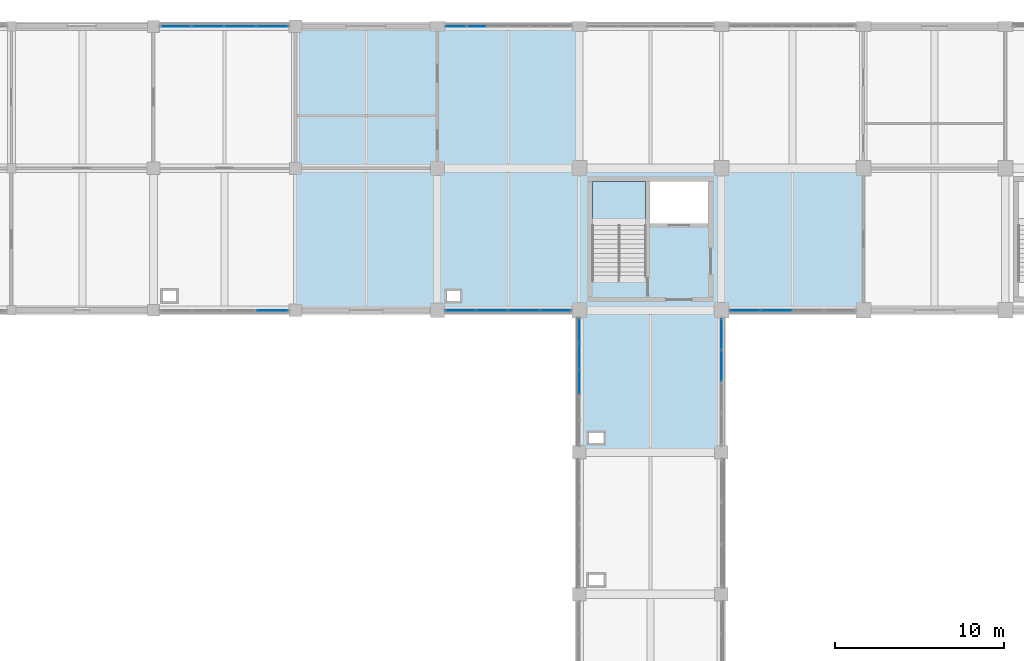
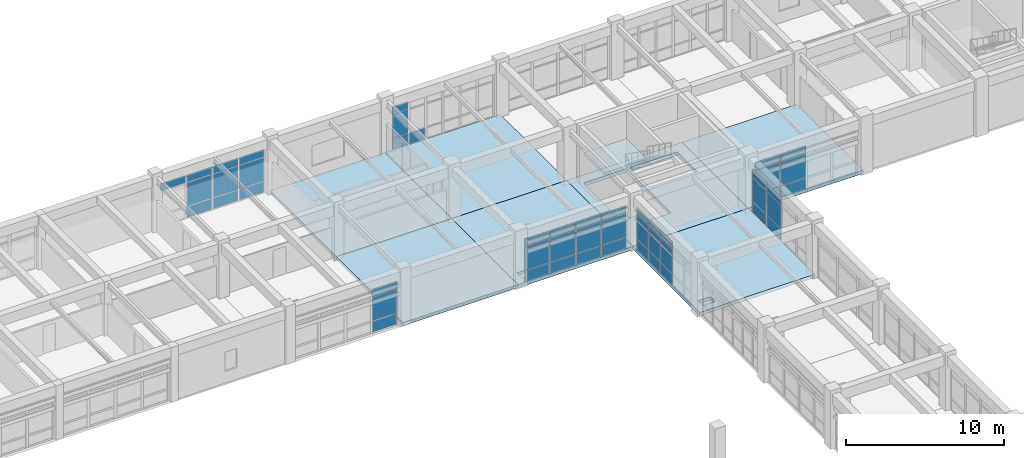
# One storey, part 67 of 99: 50 plates, 8 slabs, 8 elements without a shape of their own.
"""IFC4 building model written with IfcOpenShell, lengths in metres."""

from ifc_helpers import new_model, si_unit, direction, frame, origin, origin_2d, place, context, subcontext, project, spatial, polyline, rectangle, outline, extrude, material, layer, layer_set, type_object, element, aggregate, save


model = new_model("IFC4")

# Units and contexts
model_context = context("Model", 3, precision=1e-05, world=origin(), true_north=direction((0.0, 1.0)))
body_context = subcontext(model_context, "Body", "Model", "MODEL_VIEW")
ifc_project = project(units=[si_unit("LENGTHUNIT", "METRE"), si_unit("AREAUNIT", "SQUARE_METRE"), si_unit("VOLUMEUNIT", "CUBIC_METRE"), si_unit("PLANEANGLEUNIT", "RADIAN"), si_unit("MASSUNIT", "GRAM", prefix="KILO")], contexts=[model_context])

# Site, building, storey
site_placement = place(None, origin())
site = spatial("IfcSite", under=ifc_project, at=site_placement, CompositionType="ELEMENT")
building_placement = place(site_placement, origin())
building = spatial("IfcBuilding", under=site, at=building_placement, Name="Porcellanite Civic Hall", CompositionType="ELEMENT")
storey_placement = place(building_placement, frame((0.0, 0.0, 5.760009765625)))
storey = spatial("IfcBuildingStorey", under=building, at=storey_placement, Name="L01", CompositionType="ELEMENT", Elevation=5.760009765625)

# Curtain wall, plates
ifc_material_1 = material(Name="Anodised aluminium and solar laminated glass", Category="aluminium")
ifc_layer_1 = layer(ifc_material_1, 0.179931640625)
ifc_layer_set_1 = layer_set([ifc_layer_1], Name="Anodised aluminium and solar laminated glass")
curtain_wall_type_1 = type_object("IfcCurtainWallType", Name="CW-SYS05", PredefinedType="NOTDEFINED", material=ifc_layer_set_1)
curtain_wall_1_placement = place(storey_placement, origin())
curtain_wall_1 = element("IfcCurtainWall", 1, at=curtain_wall_1_placement, inside=storey, type_object=curtain_wall_type_1, Name="Curtain wall CW-072", PredefinedType="NOTDEFINED")
ifc_material_2 = material(Name="Cyclone laminated solar-control low-E glass", Category="glass")
ifc_layer_2 = layer(ifc_material_2, 0.028076171875)
ifc_layer_set_2 = layer_set([ifc_layer_2], Name="Cyclone laminated solar-control low-E glass")
plate_type_1 = type_object("IfcPlateType", Name="CWP-03", PredefinedType="CURTAIN_PANEL", material=ifc_layer_set_2)
plate_1_placement = place(storey_placement, frame((32.247314453125, 100.800048828125, 0.06005859375), z_axis=(0.0, 0.0, 1.0), x_axis=(-1.0, 0.0, 0.0)))
plate_1 = element("IfcPlate", 2, at=plate_1_placement, type_object=plate_type_1, Name="CW-072 panel 1.1", PredefinedType="CURTAIN_PANEL", context=body_context, shape_type="SweptSolid", body=[
    extrude(rectangle(XDim=1.813232421875, YDim=0.028076171875, at=origin_2d()), origin(), (0.0, 0.0, 1.0), 0.81005859375),
])
plate_2_placement = place(storey_placement, frame((32.247314453125, 100.800048828125, 0.929931640625), z_axis=(0.0, 0.0, 1.0), x_axis=(-1.0, 0.0, 0.0)))
plate_2 = element("IfcPlate", 3, at=plate_2_placement, type_object=plate_type_1, Name="CW-072 panel 1.2", PredefinedType="CURTAIN_PANEL", context=body_context, shape_type="SweptSolid", body=[
    extrude(rectangle(XDim=1.813232421875, YDim=0.028076171875, at=origin_2d()), origin(), (0.0, 0.0, 1.0), 1.7900390625),
])
plate_3_placement = place(storey_placement, frame((32.247314453125, 100.800048828125, 2.780029296875), z_axis=(0.0, 0.0, 1.0), x_axis=(-1.0, 0.0, 0.0)))
plate_3 = element("IfcPlate", 4, at=plate_3_placement, type_object=plate_type_1, Name="CW-072 panel 1.3", PredefinedType="CURTAIN_PANEL", context=body_context, shape_type="SweptSolid", body=[
    extrude(rectangle(XDim=1.813232421875, YDim=0.028076171875, at=origin_2d()), origin(), (0.0, 0.0, 1.0), 0.56005859375),
])
aggregate(curtain_wall_1, [plate_1, plate_2, plate_3])

curtain_wall_2_placement = place(storey_placement, origin())
curtain_wall_2 = element("IfcCurtainWall", 5, at=curtain_wall_2_placement, inside=storey, type_object=curtain_wall_type_1, Name="Curtain wall CW-073", PredefinedType="NOTDEFINED")
plate_4_placement = place(storey_placement, frame((26.527587890625, 117.60009765625, 2.780029296875), z_axis=(0.0, 0.0, 1.0), x_axis=(1.0, 0.0, 0.0)))
plate_4 = element("IfcPlate", 6, at=plate_4_placement, type_object=plate_type_1, Name="CW-073 panel 1.3", PredefinedType="CURTAIN_PANEL", context=body_context, shape_type="SweptSolid", body=[
    extrude(rectangle(XDim=1.813232421875, YDim=0.028076171875, at=origin_2d()), origin(), (0.0, 0.0, 1.0), 0.56005859375),
])
plate_5_placement = place(storey_placement, frame((28.428466796875, 117.60009765625, 0.06005859375), z_axis=(0.0, 0.0, 1.0), x_axis=(1.0, 0.0, 0.0)))
plate_5 = element("IfcPlate", 7, at=plate_5_placement, type_object=plate_type_1, Name="CW-073 panel 2.1", PredefinedType="CURTAIN_PANEL", context=body_context, shape_type="SweptSolid", body=[
    extrude(rectangle(XDim=1.84814453125, YDim=0.028076171875, at=origin_2d()), origin(), (0.0, 0.0, 1.0), 0.81005859375),
])
plate_6_placement = place(storey_placement, frame((28.428466796875, 117.60009765625, 0.929931640625), z_axis=(0.0, 0.0, 1.0), x_axis=(1.0, 0.0, 0.0)))
plate_6 = element("IfcPlate", 8, at=plate_6_placement, type_object=plate_type_1, Name="CW-073 panel 2.2", PredefinedType="CURTAIN_PANEL", context=body_context, shape_type="SweptSolid", body=[
    extrude(rectangle(XDim=1.84814453125, YDim=0.028076171875, at=origin_2d()), origin(), (0.0, 0.0, 1.0), 1.7900390625),
])
plate_7_placement = place(storey_placement, frame((28.428466796875, 117.60009765625, 2.780029296875), z_axis=(0.0, 0.0, 1.0), x_axis=(1.0, 0.0, 0.0)))
plate_7 = element("IfcPlate", 9, at=plate_7_placement, type_object=plate_type_1, Name="CW-073 panel 2.3", PredefinedType="CURTAIN_PANEL", context=body_context, shape_type="SweptSolid", body=[
    extrude(rectangle(XDim=1.84814453125, YDim=0.028076171875, at=origin_2d()), origin(), (0.0, 0.0, 1.0), 0.56005859375),
])
plate_8_placement = place(storey_placement, frame((30.3466796875, 117.60009765625, 0.06005859375), z_axis=(0.0, 0.0, 1.0), x_axis=(1.0, 0.0, 0.0)))
plate_8 = element("IfcPlate", 10, at=plate_8_placement, type_object=plate_type_1, Name="CW-073 panel 3.1", PredefinedType="CURTAIN_PANEL", context=body_context, shape_type="SweptSolid", body=[
    extrude(rectangle(XDim=1.84814453125, YDim=0.028076171875, at=origin_2d()), origin(), (0.0, 0.0, 1.0), 0.81005859375),
])
plate_9_placement = place(storey_placement, frame((30.3466796875, 117.60009765625, 0.929931640625), z_axis=(0.0, 0.0, 1.0), x_axis=(1.0, 0.0, 0.0)))
plate_9 = element("IfcPlate", 11, at=plate_9_placement, type_object=plate_type_1, Name="CW-073 panel 3.2", PredefinedType="CURTAIN_PANEL", context=body_context, shape_type="SweptSolid", body=[
    extrude(rectangle(XDim=1.84814453125, YDim=0.028076171875, at=origin_2d()), origin(), (0.0, 0.0, 1.0), 1.7900390625),
])
plate_10_placement = place(storey_placement, frame((30.3466796875, 117.60009765625, 2.780029296875), z_axis=(0.0, 0.0, 1.0), x_axis=(1.0, 0.0, 0.0)))
plate_10 = element("IfcPlate", 12, at=plate_10_placement, type_object=plate_type_1, Name="CW-073 panel 3.3", PredefinedType="CURTAIN_PANEL", context=body_context, shape_type="SweptSolid", body=[
    extrude(rectangle(XDim=1.84814453125, YDim=0.028076171875, at=origin_2d()), origin(), (0.0, 0.0, 1.0), 0.56005859375),
])
plate_11_placement = place(storey_placement, frame((32.247314453125, 117.60009765625, 0.06005859375), z_axis=(0.0, 0.0, 1.0), x_axis=(1.0, 0.0, 0.0)))
plate_11 = element("IfcPlate", 13, at=plate_11_placement, type_object=plate_type_1, Name="CW-073 panel 4.1", PredefinedType="CURTAIN_PANEL", context=body_context, shape_type="SweptSolid", body=[
    extrude(rectangle(XDim=1.813232421875, YDim=0.028076171875, at=origin_2d()), origin(), (0.0, 0.0, 1.0), 0.81005859375),
])
plate_12_placement = place(storey_placement, frame((32.247314453125, 117.60009765625, 0.929931640625), z_axis=(0.0, 0.0, 1.0), x_axis=(1.0, 0.0, 0.0)))
plate_12 = element("IfcPlate", 14, at=plate_12_placement, type_object=plate_type_1, Name="CW-073 panel 4.2", PredefinedType="CURTAIN_PANEL", context=body_context, shape_type="SweptSolid", body=[
    extrude(rectangle(XDim=1.813232421875, YDim=0.028076171875, at=origin_2d()), origin(), (0.0, 0.0, 1.0), 1.7900390625),
])
plate_13_placement = place(storey_placement, frame((32.247314453125, 117.60009765625, 2.780029296875), z_axis=(0.0, 0.0, 1.0), x_axis=(1.0, 0.0, 0.0)))
plate_13 = element("IfcPlate", 15, at=plate_13_placement, type_object=plate_type_1, Name="CW-073 panel 4.3", PredefinedType="CURTAIN_PANEL", context=body_context, shape_type="SweptSolid", body=[
    extrude(rectangle(XDim=1.813232421875, YDim=0.028076171875, at=origin_2d()), origin(), (0.0, 0.0, 1.0), 0.56005859375),
])
aggregate(curtain_wall_2, [plate_4, plate_5, plate_6, plate_7, plate_8, plate_9, plate_10, plate_11, plate_12, plate_13])

ifc_material_3 = material(Name="Anodised aluminium and solar laminated glass", Category="aluminium")
ifc_layer_3 = layer(ifc_material_3, 0.179931640625)
ifc_layer_set_3 = layer_set([ifc_layer_3], Name="Anodised aluminium and solar laminated glass")
curtain_wall_type_2 = type_object("IfcCurtainWallType", Name="CW-SYS01", PredefinedType="NOTDEFINED", material=ifc_layer_set_3)
curtain_wall_3_placement = place(storey_placement, origin())
curtain_wall_3 = element("IfcCurtainWall", 16, at=curtain_wall_3_placement, inside=storey, type_object=curtain_wall_type_2, Name="Curtain wall CW-083", PredefinedType="NOTDEFINED")
ifc_material_4 = material(Name="Cyclone laminated solar-control low-E glass", Category="glass")
ifc_layer_4 = layer(ifc_material_4, 0.030029296875)
ifc_layer_set_4 = layer_set([ifc_layer_4], Name="Cyclone laminated solar-control low-E glass")
plate_type_2 = type_object("IfcPlateType", Name="CWP-04", PredefinedType="CURTAIN_PANEL", material=ifc_layer_set_4)
plate_14_placement = place(storey_placement, frame((50.39990234375, 96.574951171875, 0.06005859375), z_axis=(0.0, 0.0, 1.0), x_axis=(0.0, 1.0, 0.0)))
plate_14 = element("IfcPlate", 17, at=plate_14_placement, type_object=plate_type_2, Name="CW-083 panel 3.1", PredefinedType="CURTAIN_PANEL", context=body_context, shape_type="SweptSolid", body=[
    extrude(rectangle(XDim=1.439697265625, YDim=0.030029296875, at=origin_2d()), origin(), (0.0, 0.0, 1.0), 0.81005859375),
])
plate_15_placement = place(storey_placement, frame((50.39990234375, 96.574951171875, 0.929931640625), z_axis=(0.0, 0.0, 1.0), x_axis=(0.0, 1.0, 0.0)))
plate_15 = element("IfcPlate", 18, at=plate_15_placement, type_object=plate_type_2, Name="CW-083 panel 3.2", PredefinedType="CURTAIN_PANEL", context=body_context, shape_type="SweptSolid", body=[
    extrude(rectangle(XDim=1.439697265625, YDim=0.030029296875, at=origin_2d()), origin(), (0.0, 0.0, 1.0), 1.7900390625),
])
plate_16_placement = place(storey_placement, frame((50.39990234375, 96.574951171875, 2.780029296875), z_axis=(0.0, 0.0, 1.0), x_axis=(0.0, 1.0, 0.0)))
plate_16 = element("IfcPlate", 19, at=plate_16_placement, type_object=plate_type_2, Name="CW-083 panel 3.3", PredefinedType="CURTAIN_PANEL", context=body_context, shape_type="SweptSolid", body=[
    extrude(rectangle(XDim=1.439697265625, YDim=0.030029296875, at=origin_2d()), origin(), (0.0, 0.0, 1.0), 0.56005859375),
])
plate_17_placement = place(storey_placement, frame((50.39990234375, 98.084716796875, 0.06005859375), z_axis=(0.0, 0.0, 1.0), x_axis=(0.0, 1.0, 0.0)))
plate_17 = element("IfcPlate", 20, at=plate_17_placement, type_object=plate_type_2, Name="CW-083 panel 4.1", PredefinedType="CURTAIN_PANEL", context=body_context, shape_type="SweptSolid", body=[
    extrude(rectangle(XDim=1.439697265625, YDim=0.030029296875, at=origin_2d()), origin(), (0.0, 0.0, 1.0), 0.81005859375),
])
plate_18_placement = place(storey_placement, frame((50.39990234375, 98.084716796875, 0.929931640625), z_axis=(0.0, 0.0, 1.0), x_axis=(0.0, 1.0, 0.0)))
plate_18 = element("IfcPlate", 21, at=plate_18_placement, type_object=plate_type_2, Name="CW-083 panel 4.2", PredefinedType="CURTAIN_PANEL", context=body_context, shape_type="SweptSolid", body=[
    extrude(rectangle(XDim=1.439697265625, YDim=0.030029296875, at=origin_2d()), origin(), (0.0, 0.0, 1.0), 1.7900390625),
])
plate_19_placement = place(storey_placement, frame((50.39990234375, 98.084716796875, 2.780029296875), z_axis=(0.0, 0.0, 1.0), x_axis=(0.0, 1.0, 0.0)))
plate_19 = element("IfcPlate", 22, at=plate_19_placement, type_object=plate_type_2, Name="CW-083 panel 4.3", PredefinedType="CURTAIN_PANEL", context=body_context, shape_type="SweptSolid", body=[
    extrude(rectangle(XDim=1.439697265625, YDim=0.030029296875, at=origin_2d()), origin(), (0.0, 0.0, 1.0), 0.56005859375),
])
plate_20_placement = place(storey_placement, frame((50.39990234375, 99.57666015625, 0.06005859375), z_axis=(0.0, 0.0, 1.0), x_axis=(0.0, 1.0, 0.0)))
plate_20 = element("IfcPlate", 23, at=plate_20_placement, type_object=plate_type_2, Name="CW-083 panel 5.1", PredefinedType="CURTAIN_PANEL", context=body_context, shape_type="SweptSolid", body=[
    extrude(rectangle(XDim=1.404541015625, YDim=0.030029296875, at=origin_2d()), origin(), (0.0, 0.0, 1.0), 0.81005859375),
])
plate_21_placement = place(storey_placement, frame((50.39990234375, 99.57666015625, 0.929931640625), z_axis=(0.0, 0.0, 1.0), x_axis=(0.0, 1.0, 0.0)))
plate_21 = element("IfcPlate", 24, at=plate_21_placement, type_object=plate_type_2, Name="CW-083 panel 5.2", PredefinedType="CURTAIN_PANEL", context=body_context, shape_type="SweptSolid", body=[
    extrude(rectangle(XDim=1.404541015625, YDim=0.030029296875, at=origin_2d()), origin(), (0.0, 0.0, 1.0), 1.7900390625),
])
plate_22_placement = place(storey_placement, frame((50.39990234375, 99.57666015625, 2.780029296875), z_axis=(0.0, 0.0, 1.0), x_axis=(0.0, 1.0, 0.0)))
plate_22 = element("IfcPlate", 25, at=plate_22_placement, type_object=plate_type_2, Name="CW-083 panel 5.3", PredefinedType="CURTAIN_PANEL", context=body_context, shape_type="SweptSolid", body=[
    extrude(rectangle(XDim=1.404541015625, YDim=0.030029296875, at=origin_2d()), origin(), (0.0, 0.0, 1.0), 0.56005859375),
])
aggregate(curtain_wall_3, [plate_14, plate_15, plate_16, plate_17, plate_18, plate_19, plate_20, plate_21, plate_22])

ifc_material_5 = material(Name="Anodised aluminium and solar laminated glass", Category="aluminium")
ifc_layer_5 = layer(ifc_material_5, 0.179931640625)
ifc_layer_set_5 = layer_set([ifc_layer_5], Name="Anodised aluminium and solar laminated glass")
curtain_wall_type_3 = type_object("IfcCurtainWallType", Name="CW-SYS06", PredefinedType="NOTDEFINED", material=ifc_layer_set_5)
curtain_wall_4_placement = place(storey_placement, origin())
curtain_wall_4 = element("IfcCurtainWall", 26, at=curtain_wall_4_placement, inside=storey, type_object=curtain_wall_type_3, Name="Curtain wall CW-074", PredefinedType="NOTDEFINED")
ifc_material_6 = material(Name="Cyclone laminated solar-control low-E glass", Category="glass")
ifc_layer_6 = layer(ifc_material_6, 0.031982421875)
ifc_layer_set_6 = layer_set([ifc_layer_6], Name="Cyclone laminated solar-control low-E glass")
plate_type_3 = type_object("IfcPlateType", Name="CWP-05", PredefinedType="CURTAIN_PANEL", material=ifc_layer_set_6)
plate_23_placement = place(storey_placement, frame((48.992431640625, 100.800048828125, 0.0498046875), z_axis=(0.0, 0.0, 1.0), x_axis=(-1.0, 0.0, 0.0)))
plate_23 = element("IfcPlate", 27, at=plate_23_placement, type_object=plate_type_3, Name="CW-074 panel 1.1", PredefinedType="CURTAIN_PANEL", context=body_context, shape_type="SweptSolid", body=[
    extrude(rectangle(XDim=1.783203125, YDim=0.031982421875, at=origin_2d()), origin(), (0.0, 0.0, 1.0), 0.824951171875),
])
plate_24_placement = place(storey_placement, frame((48.992431640625, 100.800048828125, 0.9248046875), z_axis=(0.0, 0.0, 1.0), x_axis=(-1.0, 0.0, 0.0)))
plate_24 = element("IfcPlate", 28, at=plate_24_placement, type_object=plate_type_3, Name="CW-074 panel 1.2", PredefinedType="CURTAIN_PANEL", context=body_context, shape_type="SweptSolid", body=[
    extrude(rectangle(XDim=1.783203125, YDim=0.031982421875, at=origin_2d()), origin(), (0.0, 0.0, 1.0), 1.800048828125),
])
plate_25_placement = place(storey_placement, frame((48.992431640625, 100.800048828125, 2.77490234375), z_axis=(0.0, 0.0, 1.0), x_axis=(-1.0, 0.0, 0.0)))
plate_25 = element("IfcPlate", 29, at=plate_25_placement, type_object=plate_type_3, Name="CW-074 panel 1.3", PredefinedType="CURTAIN_PANEL", context=body_context, shape_type="SweptSolid", body=[
    extrude(rectangle(XDim=1.783203125, YDim=0.031982421875, at=origin_2d()), origin(), (0.0, 0.0, 1.0), 0.574951171875),
])
plate_26_placement = place(storey_placement, frame((47.1279296875, 100.800048828125, 0.0498046875), z_axis=(0.0, 0.0, 1.0), x_axis=(-1.0, 0.0, 0.0)))
plate_26 = element("IfcPlate", 30, at=plate_26_placement, type_object=plate_type_3, Name="CW-074 panel 2.1", PredefinedType="CURTAIN_PANEL", context=body_context, shape_type="SweptSolid", body=[
    extrude(rectangle(XDim=1.815673828125, YDim=0.031982421875, at=origin_2d()), origin(), (0.0, 0.0, 1.0), 0.824951171875),
])
plate_27_placement = place(storey_placement, frame((47.1279296875, 100.800048828125, 0.9248046875), z_axis=(0.0, 0.0, 1.0), x_axis=(-1.0, 0.0, 0.0)))
plate_27 = element("IfcPlate", 31, at=plate_27_placement, type_object=plate_type_3, Name="CW-074 panel 2.2", PredefinedType="CURTAIN_PANEL", context=body_context, shape_type="SweptSolid", body=[
    extrude(rectangle(XDim=1.815673828125, YDim=0.031982421875, at=origin_2d()), origin(), (0.0, 0.0, 1.0), 1.800048828125),
])
plate_28_placement = place(storey_placement, frame((47.1279296875, 100.800048828125, 2.77490234375), z_axis=(0.0, 0.0, 1.0), x_axis=(-1.0, 0.0, 0.0)))
plate_28 = element("IfcPlate", 32, at=plate_28_placement, type_object=plate_type_3, Name="CW-074 panel 2.3", PredefinedType="CURTAIN_PANEL", context=body_context, shape_type="SweptSolid", body=[
    extrude(rectangle(XDim=1.815673828125, YDim=0.031982421875, at=origin_2d()), origin(), (0.0, 0.0, 1.0), 0.574951171875),
])
plate_29_placement = place(storey_placement, frame((45.2470703125, 100.800048828125, 0.0498046875), z_axis=(0.0, 0.0, 1.0), x_axis=(-1.0, 0.0, 0.0)))
plate_29 = element("IfcPlate", 33, at=plate_29_placement, type_object=plate_type_3, Name="CW-074 panel 3.1", PredefinedType="CURTAIN_PANEL", context=body_context, shape_type="SweptSolid", body=[
    extrude(rectangle(XDim=1.815673828125, YDim=0.031982421875, at=origin_2d()), origin(), (0.0, 0.0, 1.0), 0.824951171875),
])
plate_30_placement = place(storey_placement, frame((45.2470703125, 100.800048828125, 0.9248046875), z_axis=(0.0, 0.0, 1.0), x_axis=(-1.0, 0.0, 0.0)))
plate_30 = element("IfcPlate", 34, at=plate_30_placement, type_object=plate_type_3, Name="CW-074 panel 3.2", PredefinedType="CURTAIN_PANEL", context=body_context, shape_type="SweptSolid", body=[
    extrude(rectangle(XDim=1.815673828125, YDim=0.031982421875, at=origin_2d()), origin(), (0.0, 0.0, 1.0), 1.800048828125),
])
plate_31_placement = place(storey_placement, frame((45.2470703125, 100.800048828125, 2.77490234375), z_axis=(0.0, 0.0, 1.0), x_axis=(-1.0, 0.0, 0.0)))
plate_31 = element("IfcPlate", 35, at=plate_31_placement, type_object=plate_type_3, Name="CW-074 panel 3.3", PredefinedType="CURTAIN_PANEL", context=body_context, shape_type="SweptSolid", body=[
    extrude(rectangle(XDim=1.815673828125, YDim=0.031982421875, at=origin_2d()), origin(), (0.0, 0.0, 1.0), 0.574951171875),
])
plate_32_placement = place(storey_placement, frame((43.382568359375, 100.800048828125, 0.0498046875), z_axis=(0.0, 0.0, 1.0), x_axis=(-1.0, 0.0, 0.0)))
plate_32 = element("IfcPlate", 36, at=plate_32_placement, type_object=plate_type_3, Name="CW-074 panel 4.1", PredefinedType="CURTAIN_PANEL", context=body_context, shape_type="SweptSolid", body=[
    extrude(rectangle(XDim=1.783203125, YDim=0.031982421875, at=origin_2d()), origin(), (0.0, 0.0, 1.0), 0.824951171875),
])
plate_33_placement = place(storey_placement, frame((43.382568359375, 100.800048828125, 0.9248046875), z_axis=(0.0, 0.0, 1.0), x_axis=(-1.0, 0.0, 0.0)))
plate_33 = element("IfcPlate", 37, at=plate_33_placement, type_object=plate_type_3, Name="CW-074 panel 4.2", PredefinedType="CURTAIN_PANEL", context=body_context, shape_type="SweptSolid", body=[
    extrude(rectangle(XDim=1.783203125, YDim=0.031982421875, at=origin_2d()), origin(), (0.0, 0.0, 1.0), 1.800048828125),
])
plate_34_placement = place(storey_placement, frame((43.382568359375, 100.800048828125, 2.77490234375), z_axis=(0.0, 0.0, 1.0), x_axis=(-1.0, 0.0, 0.0)))
plate_34 = element("IfcPlate", 38, at=plate_34_placement, type_object=plate_type_3, Name="CW-074 panel 4.3", PredefinedType="CURTAIN_PANEL", context=body_context, shape_type="SweptSolid", body=[
    extrude(rectangle(XDim=1.783203125, YDim=0.031982421875, at=origin_2d()), origin(), (0.0, 0.0, 1.0), 0.574951171875),
])
aggregate(curtain_wall_4, [plate_23, plate_24, plate_25, plate_26, plate_27, plate_28, plate_29, plate_30, plate_31, plate_32, plate_33, plate_34])

ifc_material_7 = material(Name="Anodised aluminium and solar laminated glass", Category="aluminium")
ifc_layer_7 = layer(ifc_material_7, 0.179931640625)
ifc_layer_set_7 = layer_set([ifc_layer_7], Name="Anodised aluminium and solar laminated glass")
curtain_wall_type_4 = type_object("IfcCurtainWallType", Name="CW-SYS03", PredefinedType="NOTDEFINED", material=ifc_layer_set_7)
curtain_wall_5_placement = place(storey_placement, origin())
curtain_wall_5 = element("IfcCurtainWall", 39, at=curtain_wall_5_placement, inside=storey, type_object=curtain_wall_type_4, Name="Curtain wall CW-084", PredefinedType="NOTDEFINED")
plate_35_placement = place(storey_placement, frame((58.800048828125, 99.385498046875, 0.054931640625), z_axis=(0.0, 0.0, 1.0), x_axis=(0.0, -1.0, 0.0)))
plate_35 = element("IfcPlate", 40, at=plate_35_placement, type_object=plate_type_3, Name="CW-084 panel 1.1", PredefinedType="CURTAIN_PANEL", context=body_context, shape_type="SweptSolid", body=[
    extrude(rectangle(XDim=1.76708984375, YDim=0.031982421875, at=origin_2d()), origin(), (0.0, 0.0, 1.0), 0.8173828125),
])
plate_36_placement = place(storey_placement, frame((58.800048828125, 99.385498046875, 0.927490234375), z_axis=(0.0, 0.0, 1.0), x_axis=(0.0, -1.0, 0.0)))
plate_36 = element("IfcPlate", 41, at=plate_36_placement, type_object=plate_type_3, Name="CW-084 panel 1.2", PredefinedType="CURTAIN_PANEL", context=body_context, shape_type="SweptSolid", body=[
    extrude(rectangle(XDim=1.76708984375, YDim=0.031982421875, at=origin_2d()), origin(), (0.0, 0.0, 1.0), 1.794921875),
])
plate_37_placement = place(storey_placement, frame((58.800048828125, 99.385498046875, 2.777587890625), z_axis=(0.0, 0.0, 1.0), x_axis=(0.0, -1.0, 0.0)))
plate_37 = element("IfcPlate", 42, at=plate_37_placement, type_object=plate_type_3, Name="CW-084 panel 1.3", PredefinedType="CURTAIN_PANEL", context=body_context, shape_type="SweptSolid", body=[
    extrude(rectangle(XDim=1.76708984375, YDim=0.031982421875, at=origin_2d()), origin(), (0.0, 0.0, 1.0), 0.5673828125),
])
plate_38_placement = place(storey_placement, frame((58.800048828125, 97.5185546875, 0.054931640625), z_axis=(0.0, 0.0, 1.0), x_axis=(0.0, -1.0, 0.0)))
plate_38 = element("IfcPlate", 43, at=plate_38_placement, type_object=plate_type_3, Name="CW-084 panel 2.1", PredefinedType="CURTAIN_PANEL", context=body_context, shape_type="SweptSolid", body=[
    extrude(rectangle(XDim=1.806884765625, YDim=0.031982421875, at=origin_2d()), origin(), (0.0, 0.0, 1.0), 0.8173828125),
])
plate_39_placement = place(storey_placement, frame((58.800048828125, 97.5185546875, 0.927490234375), z_axis=(0.0, 0.0, 1.0), x_axis=(0.0, -1.0, 0.0)))
plate_39 = element("IfcPlate", 44, at=plate_39_placement, type_object=plate_type_3, Name="CW-084 panel 2.2", PredefinedType="CURTAIN_PANEL", context=body_context, shape_type="SweptSolid", body=[
    extrude(rectangle(XDim=1.806884765625, YDim=0.031982421875, at=origin_2d()), origin(), (0.0, 0.0, 1.0), 1.794921875),
])
plate_40_placement = place(storey_placement, frame((58.800048828125, 97.5185546875, 2.777587890625), z_axis=(0.0, 0.0, 1.0), x_axis=(0.0, -1.0, 0.0)))
plate_40 = element("IfcPlate", 45, at=plate_40_placement, type_object=plate_type_3, Name="CW-084 panel 2.3", PredefinedType="CURTAIN_PANEL", context=body_context, shape_type="SweptSolid", body=[
    extrude(rectangle(XDim=1.806884765625, YDim=0.031982421875, at=origin_2d()), origin(), (0.0, 0.0, 1.0), 0.5673828125),
])
aggregate(curtain_wall_5, [plate_35, plate_36, plate_37, plate_38, plate_39, plate_40])

ifc_material_8 = material(Name="Anodised aluminium and solar laminated glass", Category="aluminium")
ifc_layer_8 = layer(ifc_material_8, 0.179931640625)
ifc_layer_set_8 = layer_set([ifc_layer_8], Name="Anodised aluminium and solar laminated glass")
curtain_wall_type_5 = type_object("IfcCurtainWallType", Name="CW-SYS07", PredefinedType="NOTDEFINED", material=ifc_layer_set_8)
curtain_wall_6_placement = place(storey_placement, origin())
curtain_wall_6 = element("IfcCurtainWall", 46, at=curtain_wall_6_placement, inside=storey, type_object=curtain_wall_type_5, Name="Curtain wall CW-075", PredefinedType="NOTDEFINED")
ifc_material_9 = material(Name="Cyclone laminated solar-control low-E glass", Category="glass")
ifc_layer_9 = layer(ifc_material_9, 0.033935546875)
ifc_layer_set_9 = layer_set([ifc_layer_9], Name="Cyclone laminated solar-control low-E glass")
plate_type_4 = type_object("IfcPlateType", Name="CWP-06", PredefinedType="CURTAIN_PANEL", material=ifc_layer_set_9)
plate_41_placement = place(storey_placement, frame((43.0908203125, 117.60009765625, 0.0498046875), z_axis=(0.0, 0.0, 1.0), x_axis=(1.0, 0.0, 0.0)))
plate_41 = element("IfcPlate", 47, at=plate_41_placement, type_object=plate_type_4, Name="CW-075 panel 1.1", PredefinedType="CURTAIN_PANEL", context=body_context, shape_type="SweptSolid", body=[
    extrude(rectangle(XDim=1.15966796875, YDim=0.033935546875, at=origin_2d()), origin(), (0.0, 0.0, 1.0), 0.824951171875),
])
plate_42_placement = place(storey_placement, frame((43.0908203125, 117.60009765625, 0.9248046875), z_axis=(0.0, 0.0, 1.0), x_axis=(1.0, 0.0, 0.0)))
plate_42 = element("IfcPlate", 48, at=plate_42_placement, type_object=plate_type_4, Name="CW-075 panel 1.2", PredefinedType="CURTAIN_PANEL", context=body_context, shape_type="SweptSolid", body=[
    extrude(rectangle(XDim=1.15966796875, YDim=0.033935546875, at=origin_2d()), origin(), (0.0, 0.0, 1.0), 1.800048828125),
])
plate_43_placement = place(storey_placement, frame((43.0908203125, 117.60009765625, 2.77490234375), z_axis=(0.0, 0.0, 1.0), x_axis=(1.0, 0.0, 0.0)))
plate_43 = element("IfcPlate", 49, at=plate_43_placement, type_object=plate_type_4, Name="CW-075 panel 1.3", PredefinedType="CURTAIN_PANEL", context=body_context, shape_type="SweptSolid", body=[
    extrude(rectangle(XDim=1.15966796875, YDim=0.033935546875, at=origin_2d()), origin(), (0.0, 0.0, 1.0), 0.574951171875),
])
plate_44_placement = place(storey_placement, frame((44.325439453125, 117.60009765625, 0.0498046875), z_axis=(0.0, 0.0, 1.0), x_axis=(1.0, 0.0, 0.0)))
plate_44 = element("IfcPlate", 50, at=plate_44_placement, type_object=plate_type_4, Name="CW-075 panel 2.1", PredefinedType="CURTAIN_PANEL", context=body_context, shape_type="SweptSolid", body=[
    extrude(rectangle(XDim=1.189697265625, YDim=0.033935546875, at=origin_2d()), origin(), (0.0, 0.0, 1.0), 0.824951171875),
])
aggregate(curtain_wall_6, [plate_41, plate_42, plate_43, plate_44])

curtain_wall_7_placement = place(storey_placement, origin())
curtain_wall_7 = element("IfcCurtainWall", 51, at=curtain_wall_7_placement, inside=storey, type_object=curtain_wall_type_3, Name="Curtain wall CW-086", PredefinedType="NOTDEFINED")
ifc_material_10 = material(Name="Cyclone laminated solar-control low-E glass", Category="glass")
ifc_layer_10 = layer(ifc_material_10, 0.035888671875)
ifc_layer_set_10 = layer_set([ifc_layer_10], Name="Cyclone laminated solar-control low-E glass")
plate_type_5 = type_object("IfcPlateType", Name="CWP-07", PredefinedType="CURTAIN_PANEL", material=ifc_layer_set_10)
plate_45_placement = place(storey_placement, frame((62.062744140625, 100.800048828125, 0.0498046875), z_axis=(0.0, 0.0, 1.0), x_axis=(-1.0, 0.0, 0.0)))
plate_45 = element("IfcPlate", 52, at=plate_45_placement, type_object=plate_type_5, Name="CW-086 panel 3.1", PredefinedType="CURTAIN_PANEL", context=body_context, shape_type="SweptSolid", body=[
    extrude(rectangle(XDim=1.8095703125, YDim=0.035888671875, at=origin_2d()), origin(), (0.0, 0.0, 1.0), 0.824951171875),
])
plate_46_placement = place(storey_placement, frame((62.062744140625, 100.800048828125, 0.9248046875), z_axis=(0.0, 0.0, 1.0), x_axis=(-1.0, 0.0, 0.0)))
plate_46 = element("IfcPlate", 53, at=plate_46_placement, type_object=plate_type_5, Name="CW-086 panel 3.2", PredefinedType="CURTAIN_PANEL", context=body_context, shape_type="SweptSolid", body=[
    extrude(rectangle(XDim=1.8095703125, YDim=0.035888671875, at=origin_2d()), origin(), (0.0, 0.0, 1.0), 1.800048828125),
])
plate_47_placement = place(storey_placement, frame((62.062744140625, 100.800048828125, 2.77490234375), z_axis=(0.0, 0.0, 1.0), x_axis=(-1.0, 0.0, 0.0)))
plate_47 = element("IfcPlate", 54, at=plate_47_placement, type_object=plate_type_5, Name="CW-086 panel 3.3", PredefinedType="CURTAIN_PANEL", context=body_context, shape_type="SweptSolid", body=[
    extrude(rectangle(XDim=1.8095703125, YDim=0.035888671875, at=origin_2d()), origin(), (0.0, 0.0, 1.0), 0.574951171875),
])
plate_48_placement = place(storey_placement, frame((60.20458984375, 100.800048828125, 0.0498046875), z_axis=(0.0, 0.0, 1.0), x_axis=(-1.0, 0.0, 0.0)))
plate_48 = element("IfcPlate", 55, at=plate_48_placement, type_object=plate_type_5, Name="CW-086 panel 4.1", PredefinedType="CURTAIN_PANEL", context=body_context, shape_type="SweptSolid", body=[
    extrude(rectangle(XDim=1.777099609375, YDim=0.035888671875, at=origin_2d()), origin(), (0.0, 0.0, 1.0), 0.824951171875),
])
plate_49_placement = place(storey_placement, frame((60.20458984375, 100.800048828125, 0.9248046875), z_axis=(0.0, 0.0, 1.0), x_axis=(-1.0, 0.0, 0.0)))
plate_49 = element("IfcPlate", 56, at=plate_49_placement, type_object=plate_type_5, Name="CW-086 panel 4.2", PredefinedType="CURTAIN_PANEL", context=body_context, shape_type="SweptSolid", body=[
    extrude(rectangle(XDim=1.777099609375, YDim=0.035888671875, at=origin_2d()), origin(), (0.0, 0.0, 1.0), 1.800048828125),
])
plate_50_placement = place(storey_placement, frame((60.20458984375, 100.800048828125, 2.77490234375), z_axis=(0.0, 0.0, 1.0), x_axis=(-1.0, 0.0, 0.0)))
plate_50 = element("IfcPlate", 57, at=plate_50_placement, type_object=plate_type_5, Name="CW-086 panel 4.3", PredefinedType="CURTAIN_PANEL", context=body_context, shape_type="SweptSolid", body=[
    extrude(rectangle(XDim=1.777099609375, YDim=0.035888671875, at=origin_2d()), origin(), (0.0, 0.0, 1.0), 0.574951171875),
])
aggregate(curtain_wall_7, [plate_45, plate_46, plate_47, plate_48, plate_49, plate_50])

# Stair, slab
ifc_material_11 = material(Name="Concrete N40 (40 MPa)", Category="concrete")
stair_type = type_object("IfcStairType", Name="STR-HT25", PredefinedType="HALF_TURN_STAIR", material=ifc_material_11)
stair_placement = place(storey_placement, origin())
stair = element("IfcStair", 58, at=stair_placement, inside=storey, type_object=stair_type, Name="Fire stair ST-03 L01", PredefinedType="HALF_TURN_STAIR")
ifc_material_12 = material(Name="Concrete N40 (40 MPa)", Category="concrete")
ifc_layer_11 = layer(ifc_material_12, 0.179931640625)
ifc_layer_set_11 = layer_set([ifc_layer_11], Name="Concrete N40 (40 MPa)")
slab_type_1 = type_object("IfcSlabType", Name="LND-18", PredefinedType="LANDING", material=ifc_layer_set_11)
slab_1_placement = place(storey_placement, frame((0.0, 0.0, 2.159912109375)))
slab_1 = element("IfcSlab", 59, at=slab_1_placement, type_object=slab_type_1, Name="ST-03 landing 1", PredefinedType="LANDING", context=body_context, shape_type="SweptSolid", body=[
    extrude(outline(polyline([(51.180419921875, 105.824951171875), (54.319580078125, 105.824951171875), (54.319580078125, 108.41943359375), (51.180419921875, 108.41943359375), (51.180419921875, 105.824951171875)])), origin(), (0.0, 0.0, 1.0), 0.18017578125),
])
aggregate(stair, [slab_1])

# Slabs
ifc_material_13 = material(Name="Concrete N40 (40 MPa)", Category="concrete")
ifc_layer_12 = layer(ifc_material_13, 0.25)
ifc_layer_set_12 = layer_set([ifc_layer_12], Name="Concrete N40 (40 MPa)")
slab_type_2 = type_object("IfcSlabType", Name="SL-FL250", PredefinedType="FLOOR", material=ifc_layer_set_12)
slab_2_placement = place(storey_placement, frame((0.0, 0.0, -0.25)))
element("IfcSlab", 60, at=slab_2_placement, inside=storey, type_object=slab_type_2, Name="Slab L01 bay 5-13", PredefinedType="FLOOR", context=body_context, shape_type="SweptSolid", body=[
    extrude(outline(polyline([(33.60009765625, 100.800048828125), (42.0, 100.800048828125), (42.0, 109.199951171875), (33.60009765625, 109.199951171875), (33.60009765625, 100.800048828125)])), origin(), (0.0, 0.0, 1.0), 0.25),
])
slab_3_placement = place(storey_placement, frame((0.0, 0.0, -0.25)))
element("IfcSlab", 61, at=slab_3_placement, inside=storey, type_object=slab_type_2, Name="Slab L01 bay 5-14", PredefinedType="FLOOR", context=body_context, shape_type="SweptSolid", body=[
    extrude(outline(polyline([(33.60009765625, 109.199951171875), (42.0, 109.199951171875), (42.0, 117.60009765625), (33.60009765625, 117.60009765625), (33.60009765625, 109.199951171875)])), origin(), (0.0, 0.0, 1.0), 0.25),
])
slab_4_placement = place(storey_placement, frame((0.0, 0.0, -0.25)))
element("IfcSlab", 62, at=slab_4_placement, inside=storey, type_object=slab_type_2, Name="Slab L01 bay 6-13", PredefinedType="FLOOR", context=body_context, shape_type="SweptSolid", body=[
    extrude(outline(polyline([(42.0, 100.800048828125), (50.39990234375, 100.800048828125), (50.39990234375, 109.199951171875), (42.0, 109.199951171875), (42.0, 100.800048828125)]), holes=[polyline([(42.550048828125, 101.35009765625), (43.35009765625, 101.35009765625), (43.35009765625, 101.949951171875), (42.550048828125, 101.949951171875), (42.550048828125, 101.35009765625)])]), origin(), (0.0, 0.0, 1.0), 0.25),
])
slab_5_placement = place(storey_placement, frame((0.0, 0.0, -0.25)))
element("IfcSlab", 63, at=slab_5_placement, inside=storey, type_object=slab_type_2, Name="Slab L01 bay 7-12", PredefinedType="FLOOR", context=body_context, shape_type="SweptSolid", body=[
    extrude(outline(polyline([(50.39990234375, 92.39990234375), (58.800048828125, 92.39990234375), (58.800048828125, 100.800048828125), (50.39990234375, 100.800048828125), (50.39990234375, 92.39990234375)]), holes=[polyline([(50.949951171875, 92.949951171875), (51.85009765625, 92.949951171875), (51.85009765625, 93.550048828125), (50.949951171875, 93.550048828125), (50.949951171875, 92.949951171875)])]), origin(), (0.0, 0.0, 1.0), 0.25),
])
slab_6_placement = place(storey_placement, frame((0.0, 0.0, -0.25)))
element("IfcSlab", 64, at=slab_6_placement, inside=storey, type_object=slab_type_2, Name="Slab L01 bay 8-13", PredefinedType="FLOOR", context=body_context, shape_type="SweptSolid", body=[
    extrude(outline(polyline([(58.800048828125, 100.800048828125), (67.199951171875, 100.800048828125), (67.199951171875, 109.199951171875), (58.800048828125, 109.199951171875), (58.800048828125, 100.800048828125)])), origin(), (0.0, 0.0, 1.0), 0.25),
])
ifc_material_14 = material(Name="Concrete N40 (40 MPa)", Category="concrete")
ifc_layer_13 = layer(ifc_material_14, 0.260009765625)
ifc_layer_set_13 = layer_set([ifc_layer_13], Name="Concrete N40 (40 MPa)")
slab_type_3 = type_object("IfcSlabType", Name="SL-FL260", PredefinedType="FLOOR", material=ifc_layer_set_13)
slab_7_placement = place(storey_placement, frame((0.0, 0.0, -0.260009765625)))
element("IfcSlab", 65, at=slab_7_placement, inside=storey, type_object=slab_type_3, Name="Slab L01 bay 6-14", PredefinedType="FLOOR", context=body_context, shape_type="SweptSolid", body=[
    extrude(outline(polyline([(42.0, 109.199951171875), (50.39990234375, 109.199951171875), (50.39990234375, 117.60009765625), (42.0, 117.60009765625), (42.0, 109.199951171875)])), origin(), (0.0, 0.0, 1.0), 0.260009765625),
])
slab_8_placement = place(storey_placement, frame((0.0, 0.0, -0.260009765625)))
element("IfcSlab", 66, at=slab_8_placement, inside=storey, type_object=slab_type_3, Name="Slab L01 bay 7-13", PredefinedType="FLOOR", context=body_context, shape_type="SweptSolid", body=[
    extrude(outline(polyline([(50.39990234375, 100.800048828125), (58.800048828125, 100.800048828125), (58.800048828125, 109.199951171875), (50.39990234375, 109.199951171875), (50.39990234375, 100.800048828125)]), holes=[polyline([(51.179931640625, 103.64990234375), (52.760009765625, 103.64990234375), (52.760009765625, 102.800048828125), (54.320068359375, 102.800048828125), (54.320068359375, 108.419921875), (51.179931640625, 108.419921875), (51.179931640625, 103.64990234375)]), polyline([(54.56005859375, 105.93994140625), (58.02001953125, 105.93994140625), (58.02001953125, 108.419921875), (54.56005859375, 108.419921875), (54.56005859375, 105.93994140625)])]), origin(), (0.0, 0.0, 1.0), 0.260009765625),
])

save(model, "model.ifc")
